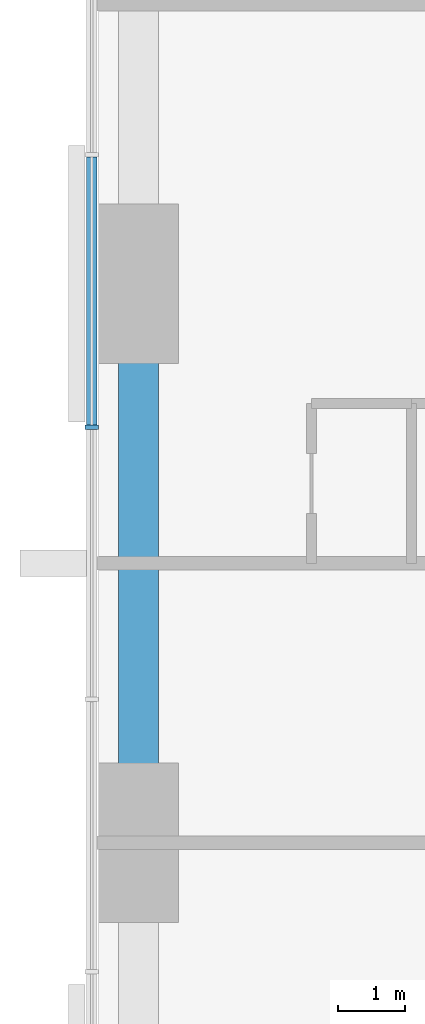
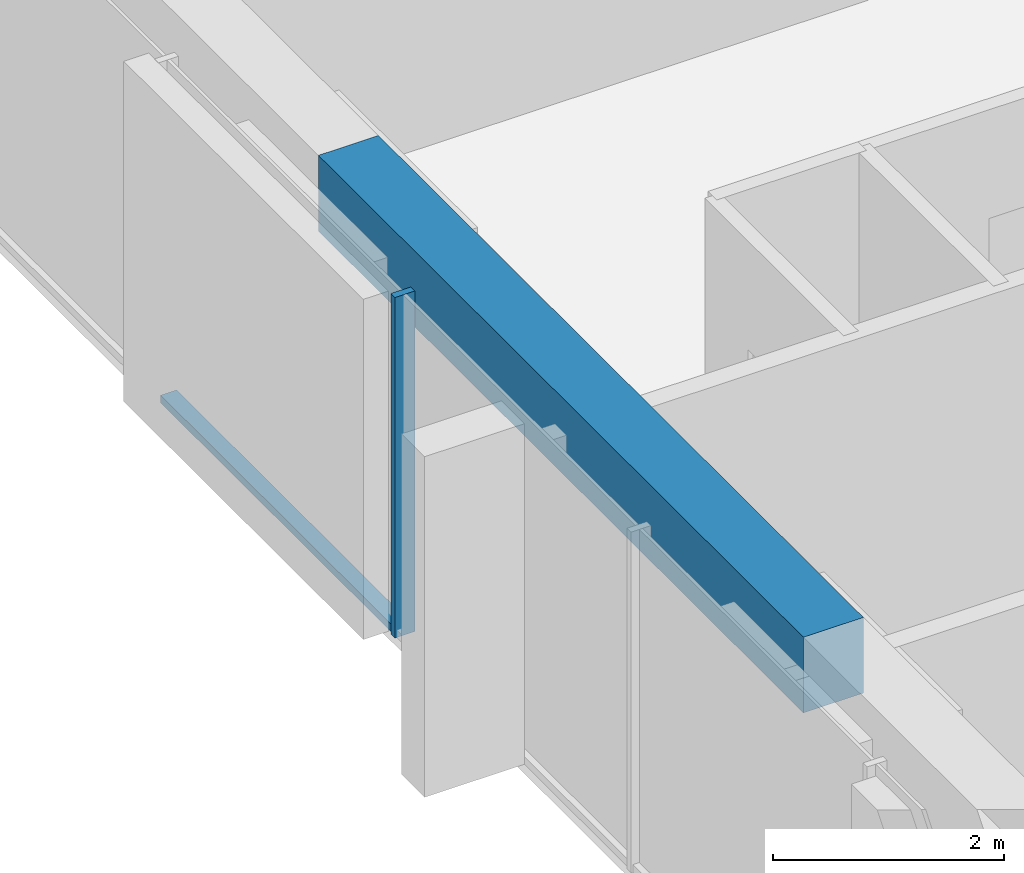
# One storey, part 3 of 14: 2 members, 1 beam, 1 element without a shape of its own.
"""IFC4 building model written with IfcOpenShell, lengths in metres."""

from ifc_helpers import new_model, si_unit, direction, frame, origin, origin_2d, place, context, subcontext, project, spatial, rectangle, extrude, material, material_profile, profile_set, type_object, element, aggregate, save


model = new_model("IFC4")

# Units and contexts
model_context = context("Model", 3, precision=1e-05, world=origin(), true_north=direction((0.0, 1.0)))
body_context = subcontext(model_context, "Body", "Model", "MODEL_VIEW")
ifc_project = project(units=[si_unit("LENGTHUNIT", "METRE"), si_unit("AREAUNIT", "SQUARE_METRE"), si_unit("VOLUMEUNIT", "CUBIC_METRE"), si_unit("PLANEANGLEUNIT", "RADIAN"), si_unit("MASSUNIT", "GRAM", prefix="KILO")], contexts=[model_context])

# Site, building, storey
site_placement = place(None, origin())
site = spatial("IfcSite", under=ifc_project, at=site_placement, CompositionType="ELEMENT")
building_placement = place(site_placement, origin())
building = spatial("IfcBuilding", under=site, at=building_placement, Name="Dunama Terrace Hotel", CompositionType="ELEMENT")
storey_placement = place(building_placement, frame((0.0, 0.0, 180.60009765625)))
storey = spatial("IfcBuildingStorey", under=building, at=storey_placement, Name="L46", CompositionType="ELEMENT", Elevation=180.60009765625)

# Curtain wall, members
ifc_material_1 = material(Name="Aluminium curtain wall system", Category="aluminium")
curtain_wall_type = type_object("IfcCurtainWallType", Name="Unitised fritted glass wall CW-C", PredefinedType="NOTDEFINED", material=ifc_material_1)
curtain_wall_placement = place(storey_placement, origin())
curtain_wall = element("IfcCurtainWall", 1, at=curtain_wall_placement, inside=storey, type_object=curtain_wall_type, Name="Unitised fritted glass wall CW-C L46", PredefinedType="NOTDEFINED")
ifc_material_2 = material(Name="Aluminium mullion", Category="aluminium")
ifc_material_profile_1 = material_profile(ifc_material_2, rectangle(XDim=0.070068359375, YDim=0.199951171875, at=origin_2d()), Name="CWC MULLION 70X200")
ifc_profile_set_1 = profile_set([ifc_material_profile_1], Name="Aluminium mullion")
member_type_1 = type_object("IfcMemberType", Name="CWC mullion 70x200", PredefinedType="MULLION", material=ifc_profile_set_1)
member_1_placement = place(storey_placement, frame((4.10009765625, 31.445068359375, 0.0), z_axis=(0.0, 0.0, 1.0), x_axis=(0.0, -1.0, 0.0)))
member_1 = element("IfcMember", 2, at=member_1_placement, type_object=member_type_1, Name="CWC mullion", PredefinedType="MULLION", context=body_context, shape_type="SweptSolid", body=[
    extrude(rectangle(XDim=0.070068359375, YDim=0.199951171875, at=origin_2d()), origin(), (0.0, 0.0, 1.0), 3.599853515625),
])
ifc_material_3 = material(Name="Aluminium transom", Category="aluminium")
ifc_material_profile_2 = material_profile(ifc_material_3, rectangle(XDim=0.159912109375, YDim=0.080078125, at=origin_2d()), Name="CWC TRANSOM 160X80")
ifc_profile_set_2 = profile_set([ifc_material_profile_2], Name="Aluminium transom")
member_type_2 = type_object("IfcMemberType", Name="CWC transom 160x80", PredefinedType="USERDEFINED", material=ifc_profile_set_2)
member_2_placement = place(storey_placement, frame((4.10009765625, 35.5009765625, 0.039794921875), z_axis=(0.0, -1.0, 0.0), x_axis=(1.0, 0.0, 0.0)))
member_2 = element("IfcMember", 3, at=member_2_placement, type_object=member_type_2, Name="CWC transom", ObjectType="TRANSOM", PredefinedType="USERDEFINED", context=body_context, shape_type="SweptSolid", body=[
    extrude(rectangle(XDim=0.159912109375, YDim=0.080078125, at=origin_2d()), origin(), (0.0, 0.0, 1.0), 4.02099609375),
])
aggregate(curtain_wall, [member_1, member_2])

# Beam
ifc_material_4 = material(Name="Concrete C40/50", Category="concrete")
ifc_material_profile_3 = material_profile(ifc_material_4, rectangle(XDim=0.60009765625, YDim=0.800048828125, at=origin_2d()), Name="RC 600x800")
ifc_profile_set_3 = profile_set([ifc_material_profile_3], Name="Concrete C40/50")
beam_type = type_object("IfcBeamType", Name="Edge beam RC 600x800", PredefinedType="SPANDREL", material=ifc_profile_set_3)
beam_placement = place(storey_placement, frame((4.800048828125, 25.199951171875, 3.199951171875), z_axis=(0.0, 1.0, 0.0), x_axis=(-1.0, 0.0, 0.0)))
element("IfcBeam", 4, at=beam_placement, inside=storey, type_object=beam_type, Name="Edge beam under L47", PredefinedType="SPANDREL", context=body_context, shape_type="SweptSolid", body=[
    extrude(rectangle(XDim=0.60009765625, YDim=0.800048828125, at=origin_2d()), origin(), (0.0, 0.0, 1.0), 8.400146484375),
])

save(model, "model.ifc")
